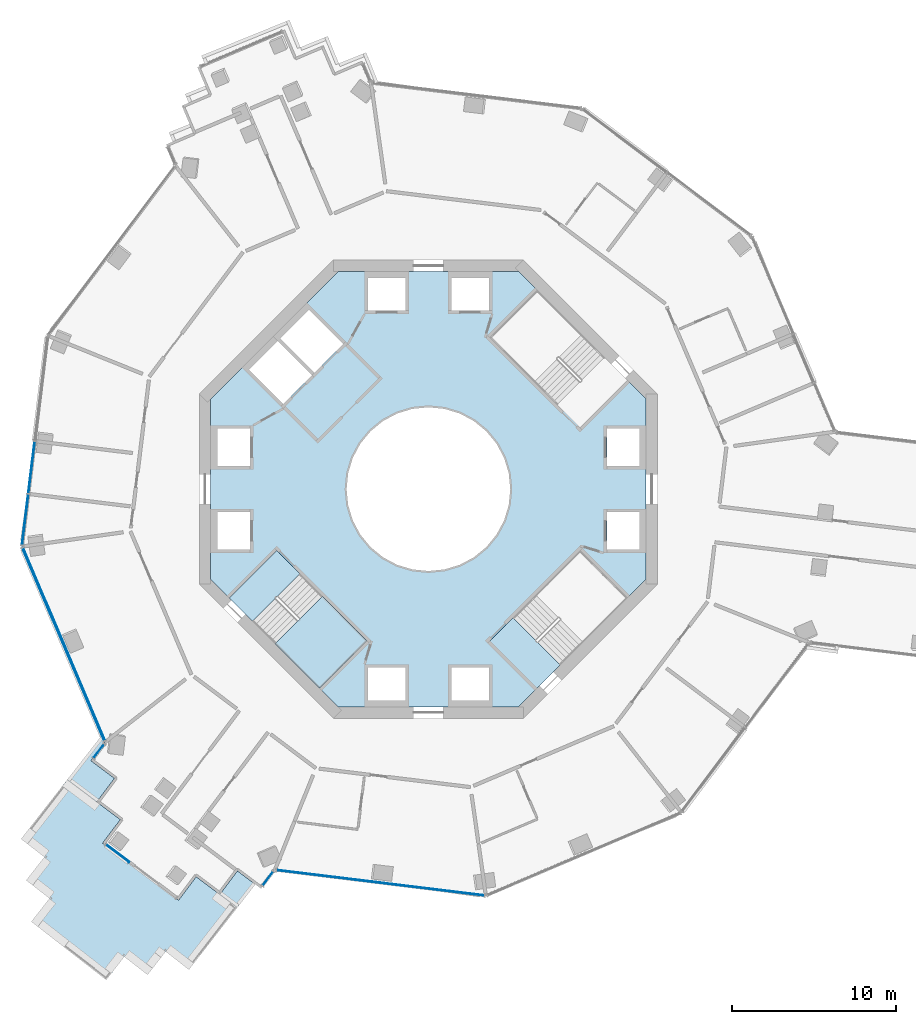
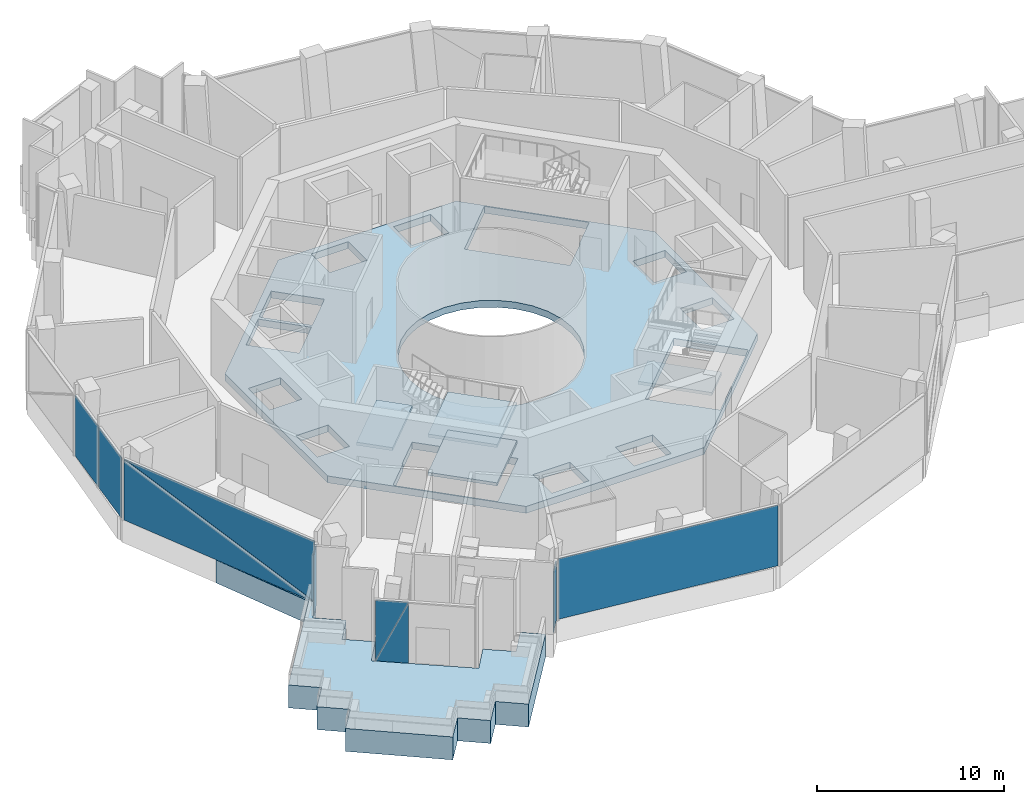
# One storey, part 6 of 17: 9 plates, 6 slabs, 8 elements without a shape of their own.
"""IFC4 building model written with IfcOpenShell, lengths in metres."""

from ifc_helpers import new_model, si_unit, direction, frame, origin, origin_2d, place, context, subcontext, project, spatial, polyline, rectangle, outline, extrude, material, layer, layer_set, type_object, element, aggregate, save


model = new_model("IFC4")

# Units and contexts
model_context = context("Model", 3, precision=1e-05, world=origin(), true_north=direction((0.0, 1.0)))
body_context = subcontext(model_context, "Body", "Model", "MODEL_VIEW")
ifc_project = project(units=[si_unit("LENGTHUNIT", "METRE"), si_unit("AREAUNIT", "SQUARE_METRE"), si_unit("VOLUMEUNIT", "CUBIC_METRE"), si_unit("PLANEANGLEUNIT", "RADIAN"), si_unit("MASSUNIT", "GRAM", prefix="KILO")], contexts=[model_context])

# Site, building, storey
site_placement = place(None, origin())
site = spatial("IfcSite", under=ifc_project, at=site_placement, CompositionType="ELEMENT")
building_placement = place(site_placement, origin())
building = spatial("IfcBuilding", under=site, at=building_placement, Name="Verdalira Terraces Hotel", CompositionType="ELEMENT")
storey_placement = place(building_placement, frame((0.0, 0.0, 128.0)))
storey = spatial("IfcBuildingStorey", under=building, at=storey_placement, Name="L30", CompositionType="ELEMENT", Elevation=128.0)

# Curtain wall, plates
ifc_material_1 = material(Name="Clear glass", Category="glass")
ifc_layer_1 = layer(ifc_material_1, 0.239990234375)
ifc_layer_set_1 = layer_set([ifc_layer_1], Name="CW5 curtain wall")
curtain_wall_type = type_object("IfcCurtainWallType", Name="CW5 curtain wall", PredefinedType="NOTDEFINED", material=ifc_layer_set_1)
curtain_wall_1_placement = place(storey_placement, origin())
curtain_wall_1 = element("IfcCurtainWall", 1, at=curtain_wall_1_placement, inside=storey, type_object=curtain_wall_type, Name="CW5 curtain wall L30 edge 12", PredefinedType="NOTDEFINED")
ifc_material_2 = material(Name="Clear glass", Category="glass")
ifc_layer_2 = layer(ifc_material_2, 0.0439453125)
ifc_layer_set_2 = layer_set([ifc_layer_2], Name="CW5 glass unit 44")
plate_type = type_object("IfcPlateType", Name="CW5 glass unit 44", PredefinedType="CURTAIN_PANEL", material=ifc_layer_set_2)
plate_1_placement = place(storey_placement, frame((-24.246582, 1.322998, 0.0), z_axis=(0.0, 0.0, 1.0), x_axis=(-0.121176386, -0.992630991, 0.0)))
plate_1 = element("IfcPlate", 2, at=plate_1_placement, type_object=plate_type, Name="CW5 glass unit", PredefinedType="CURTAIN_PANEL", context=body_context, shape_type="SweptSolid", body=[
    extrude(rectangle(XDim=3.179932, YDim=0.043945, at=origin_2d()), origin(), (0.0, 0.0, 1.0), 3.965088),
])
plate_2_placement = place(storey_placement, frame((-24.635986, -1.865967, 0.0), z_axis=(0.0, 0.0, 1.0), x_axis=(-0.121176386, -0.992630991, 0.0)))
plate_2 = element("IfcPlate", 3, at=plate_2_placement, type_object=plate_type, Name="CW5 glass unit", PredefinedType="CURTAIN_PANEL", context=body_context, shape_type="SweptSolid", body=[
    extrude(rectangle(XDim=3.104736, YDim=0.043945, at=origin_2d()), origin(), (0.0, 0.0, 1.0), 3.965088),
])
aggregate(curtain_wall_1, [plate_1, plate_2])

curtain_wall_2_placement = place(storey_placement, origin())
curtain_wall_2 = element("IfcCurtainWall", 4, at=curtain_wall_2_placement, inside=storey, type_object=curtain_wall_type, Name="CW5 curtain wall L30 edge 13", PredefinedType="NOTDEFINED")
plate_3_placement = place(storey_placement, frame((-22.277832, -9.468262, 1.982422), z_axis=(-0.920231847, -0.391373667, 0.0), x_axis=(0.391373667, -0.920231847, 0.0)))
plate_3 = element("IfcPlate", 5, at=plate_3_placement, type_object=plate_type, Name="CW5 glass unit", PredefinedType="CURTAIN_PANEL", context=body_context, shape_type="SweptSolid", body=[
    extrude(outline(polyline([(-6.383789, -1.982422), (6.383789, -1.982422), (-6.383789, 1.982422), (-6.383789, -1.982422)])), origin(), (0.0, 0.0, 1.0), 0.043945),
])
plate_4_placement = place(storey_placement, frame((-22.236572, -9.450684, 1.982422), z_axis=(-0.920231847, -0.391373667, 0.0), x_axis=(0.391373667, -0.920231847, 0.0)))
plate_4 = element("IfcPlate", 6, at=plate_4_placement, type_object=plate_type, Name="CW5 glass unit", PredefinedType="CURTAIN_PANEL", context=body_context, shape_type="SweptSolid", body=[
    extrude(outline(polyline([(6.383789, -1.982422), (6.383789, 1.982422), (-6.383789, 1.982422), (6.383789, -1.982422)])), origin(), (0.0, 0.0, 1.0), 0.043945),
])
aggregate(curtain_wall_2, [plate_3, plate_4])

# Curtain wall, plate
curtain_wall_3_placement = place(storey_placement, origin())
curtain_wall_3 = element("IfcCurtainWall", 7, at=curtain_wall_3_placement, inside=storey, type_object=curtain_wall_type, Name="CW5 curtain wall L30 edge 14", PredefinedType="NOTDEFINED")
plate_5_placement = place(storey_placement, frame((-20.144287, -16.010498, 0.0), z_axis=(0.0, 0.0, 1.0), x_axis=(-0.601257324, -0.799055462, 0.0)))
plate_5 = element("IfcPlate", 8, at=plate_5_placement, type_object=plate_type, Name="CW5 glass unit", PredefinedType="CURTAIN_PANEL", context=body_context, shape_type="SweptSolid", body=[
    extrude(rectangle(XDim=1.049805, YDim=0.043945, at=origin_2d()), origin(), (0.0, 0.0, 1.0), 3.965088),
])
aggregate(curtain_wall_3, [plate_5])

# Curtain wall, plates
curtain_wall_4_placement = place(storey_placement, origin())
curtain_wall_4 = element("IfcCurtainWall", 9, at=curtain_wall_4_placement, inside=storey, type_object=curtain_wall_type, Name="CW5 curtain wall L30 edge 19", PredefinedType="NOTDEFINED")
plate_6_placement = place(storey_placement, frame((-18.981934, -22.257568, 1.982422), z_axis=(-0.601257324, -0.799055462, 0.0), x_axis=(0.799055462, -0.601257324, 0.0)))
plate_6 = element("IfcPlate", 10, at=plate_6_placement, type_object=plate_type, Name="CW5 glass unit", PredefinedType="CURTAIN_PANEL", context=body_context, shape_type="SweptSolid", body=[
    extrude(outline(polyline([(-0.89502, -1.982422), (0.89502, -1.982422), (0.89502, 1.982422), (-0.89502, -1.982422)])), origin(), (0.0, 0.0, 1.0), 0.043945),
])
plate_7_placement = place(storey_placement, frame((-18.954834, -22.22168, 1.982422), z_axis=(-0.601257324, -0.799055462, 0.0), x_axis=(0.799055462, -0.601257324, 0.0)))
plate_7 = element("IfcPlate", 11, at=plate_7_placement, type_object=plate_type, Name="CW5 glass unit", PredefinedType="CURTAIN_PANEL", context=body_context, shape_type="SweptSolid", body=[
    extrude(outline(polyline([(-0.89502, -1.982422), (0.89502, 1.982422), (-0.89502, 1.982422), (-0.89502, -1.982422)])), origin(), (0.0, 0.0, 1.0), 0.043945),
])
aggregate(curtain_wall_4, [plate_6, plate_7])

# Curtain wall, plate
curtain_wall_5_placement = place(storey_placement, origin())
curtain_wall_5 = element("IfcCurtainWall", 12, at=curtain_wall_5_placement, inside=storey, type_object=curtain_wall_type, Name="CW5 curtain wall L30 edge 24", PredefinedType="NOTDEFINED")
plate_8_placement = place(storey_placement, frame((-9.804443, -23.790771, 0.0), z_axis=(0.0, 0.0, 1.0), x_axis=(0.601257324, 0.799055462, 0.0)))
plate_8 = element("IfcPlate", 13, at=plate_8_placement, type_object=plate_type, Name="CW5 glass unit", PredefinedType="CURTAIN_PANEL", context=body_context, shape_type="SweptSolid", body=[
    extrude(rectangle(XDim=1.049805, YDim=0.043945, at=origin_2d()), origin(), (0.0, 0.0, 1.0), 3.965088),
])
aggregate(curtain_wall_5, [plate_8])

curtain_wall_6_placement = place(storey_placement, origin())
curtain_wall_6 = element("IfcCurtainWall", 14, at=curtain_wall_6_placement, inside=storey, type_object=curtain_wall_type, Name="CW5 curtain wall L30 edge 25", PredefinedType="NOTDEFINED")
plate_9_placement = place(storey_placement, frame((-2.930176, -24.050537, 0.0), z_axis=(0.0, 0.0, 1.0), x_axis=(0.992630991, -0.121176386, 0.0)))
plate_9 = element("IfcPlate", 15, at=plate_9_placement, type_object=plate_type, Name="CW5 glass unit", PredefinedType="CURTAIN_PANEL", context=body_context, shape_type="SweptSolid", body=[
    extrude(rectangle(XDim=12.767822, YDim=0.043945, at=origin_2d()), origin(), (0.0, 0.0, 1.0), 3.965088),
])
aggregate(curtain_wall_6, [plate_9])

# Slab
ifc_material_3 = material(Name="Concrete C40", Category="concrete")
ifc_layer_3 = layer(ifc_material_3, 0.449951171875)
ifc_layer_set_3 = layer_set([ifc_layer_3], Name="Core floor slab 450 mm")
slab_type_1 = type_object("IfcSlabType", Name="Core floor slab 450 mm", PredefinedType="FLOOR", material=ifc_layer_set_3)
slab_1_placement = place(storey_placement, frame((0.0, 0.0, -0.449951)))
element("IfcSlab", 16, at=slab_1_placement, inside=storey, type_object=slab_type_1, Name="L30 core floor", PredefinedType="FLOOR", context=body_context, shape_type="SweptSolid", body=[
    extrude(outline(polyline([(-5.509033, 13.300049), (5.509033, 13.300049), (13.300049, 5.509033), (13.300049, -5.509033), (5.509033, -13.300049), (-5.509033, -13.300049), (-13.300049, -5.509033), (-13.300049, 5.509033), (-5.509033, 13.300049)]), holes=[polyline([(12.899902, -3.699951), (12.899902, -1.399902), (10.899902, -1.399902), (10.899902, -3.699951), (12.899902, -3.699951)]), polyline([(12.899902, 1.399902), (12.899902, 3.699951), (10.899902, 3.699951), (10.899902, 1.399902), (12.899902, 1.399902)]), polyline([(1.399902, 10.899902), (3.699951, 10.899902), (3.699951, 12.899902), (1.399902, 12.899902), (1.399902, 10.899902)]), polyline([(-3.699951, 10.899902), (-1.399902, 10.899902), (-1.399902, 12.899902), (-3.699951, 12.899902), (-3.699951, 10.899902)]), polyline([(-12.899902, 3.699951), (-12.899902, 1.399902), (-10.899902, 1.399902), (-10.899902, 3.699951), (-12.899902, 3.699951)]), polyline([(-12.899902, -1.399902), (-12.899902, -3.699951), (-10.899902, -3.699951), (-10.899902, -1.399902), (-12.899902, -1.399902)]), polyline([(-1.399902, -10.899902), (-3.699951, -10.899902), (-3.699951, -12.899902), (-1.399902, -12.899902), (-1.399902, -10.899902)]), polyline([(3.699951, -10.899902), (1.399902, -10.899902), (1.399902, -12.899902), (3.699951, -12.899902), (3.699951, -10.899902)]), polyline([(-9.051025, 9.192383), (-6.965088, 7.106445), (-5.197266, 8.874268), (-7.283203, 10.960205), (-9.051025, 9.192383)]), polyline([(-9.192383, 9.051025), (-10.960205, 7.283203), (-8.874268, 5.197266), (-7.106445, 6.965088), (-9.192383, 9.051025)]), polyline([(3.5354, 3.5354), (2.777832, 4.157227), (1.91333, 4.619385), (0.975586, 4.903809), (0.0, 5.0), (-0.975586, 4.903809), (-1.91333, 4.619385), (-2.777832, 4.157227), (-3.5354, 3.5354), (-4.157227, 2.777832), (-4.619385, 1.91333), (-4.903809, 0.975586), (-5.0, 0.0), (-4.903809, -0.975586), (-4.619385, -1.91333), (-4.157227, -2.777832), (-3.5354, -3.5354), (-2.777832, -4.157227), (-1.91333, -4.619385), (-0.975586, -4.903809), (0.0, -5.0), (0.975586, -4.903809), (1.91333, -4.619385), (2.777832, -4.157227), (3.5354, -3.5354), (4.157227, -2.777832), (4.619385, -1.91333), (4.903809, -0.975586), (5.0, 0.0), (4.903809, 0.975586), (4.619385, 1.91333), (4.157227, 2.777832), (3.5354, 3.5354)]), polyline([(6.576172, 12.119873), (5.147705, 10.691406), (5.147705, 10.691406), (3.648682, 9.192383), (7.799072, 5.041992), (9.298096, 6.541016), (9.262695, 6.576416), (10.691162, 8.004883), (6.576172, 12.119873)]), polyline([(-5.147705, -10.691406), (-3.648682, -9.192383), (-7.799072, -5.041992), (-9.298096, -6.541016), (-9.262695, -6.576416), (-10.691162, -8.004883), (-6.576172, -12.119873), (-5.147705, -10.691406), (-5.147705, -10.691406)]), polyline([(10.691406, -5.147705), (10.691406, -5.147705), (9.192383, -3.648682), (5.041992, -7.799072), (6.541016, -9.298096), (6.576416, -9.262695), (8.004883, -10.691162), (12.119873, -6.576172), (10.691406, -5.147705)])]), origin(), (0.0, 0.0, 1.0), 0.449951),
])

# Stair, slabs
ifc_material_4 = material(Name="Concrete C40", Category="concrete")
stair_type = type_object("IfcStairType", Name="Core stair 32 risers 2000 mm wide", PredefinedType="HALF_TURN_STAIR", material=ifc_material_4)
stair_1_placement = place(storey_placement, origin())
stair_1 = element("IfcStair", 17, at=stair_1_placement, inside=storey, type_object=stair_type, Name="L30 Exit stair ST2", PredefinedType="HALF_TURN_STAIR")
ifc_material_5 = material(Name="Concrete C40", Category="concrete")
ifc_layer_4 = layer(ifc_material_5, 0.199951171875)
ifc_layer_set_4 = layer_set([ifc_layer_4], Name="Core stair landing 200 mm")
slab_type_2 = type_object("IfcSlabType", Name="Core stair landing 200 mm", PredefinedType="LANDING", material=ifc_layer_set_4)
slab_2_placement = place(storey_placement, frame((0.0, 0.0, 1.050049)))
slab_2 = element("IfcSlab", 18, at=slab_2_placement, type_object=slab_type_2, Name="ST2 landing 1", PredefinedType="LANDING", context=body_context, shape_type="SweptSolid", body=[
    extrude(outline(polyline([(-9.362549, -9.446533), (-6.646729, -12.162354), (-3.747559, -9.263184), (-6.463379, -6.547363), (-9.362549, -9.446533)])), origin(), (0.0, 0.0, 1.0), 0.199951),
])
slab_3_placement = place(storey_placement, frame((0.0, 0.0, 2.300049)))
slab_3 = element("IfcSlab", 19, at=slab_3_placement, type_object=slab_type_2, Name="ST2 landing 2", PredefinedType="LANDING", context=body_context, shape_type="SweptSolid", body=[
    extrude(outline(polyline([(-12.162354, -6.646729), (-10.747559, -8.061279), (-7.848633, -5.162354), (-9.263184, -3.747559), (-12.162354, -6.646729)])), origin(), (0.0, 0.0, 1.0), 0.199951),
])
slab_4_placement = place(storey_placement, frame((0.0, 0.0, 3.550049)))
slab_4 = element("IfcSlab", 20, at=slab_4_placement, type_object=slab_type_2, Name="ST2 landing 3", PredefinedType="LANDING", context=body_context, shape_type="SweptSolid", body=[
    extrude(outline(polyline([(-9.362549, -9.446533), (-6.646729, -12.162354), (-3.747559, -9.263184), (-6.463379, -6.547363), (-9.362549, -9.446533)])), origin(), (0.0, 0.0, 1.0), 0.199951),
])
aggregate(stair_1, [slab_2, slab_3, slab_4])

# Stair, slab
stair_2_placement = place(storey_placement, origin())
stair_2 = element("IfcStair", 21, at=stair_2_placement, inside=storey, type_object=stair_type, Name="L30 Exit stair ST3", PredefinedType="HALF_TURN_STAIR")
slab_5_placement = place(storey_placement, frame((0.0, 0.0, 2.300049)))
slab_5 = element("IfcSlab", 22, at=slab_5_placement, type_object=slab_type_2, Name="ST3 landing 2", PredefinedType="LANDING", context=body_context, shape_type="SweptSolid", body=[
    extrude(outline(polyline([(6.646729, -12.162354), (8.061279, -10.747559), (5.162354, -7.848633), (3.747559, -9.263184), (6.646729, -12.162354)])), origin(), (0.0, 0.0, 1.0), 0.199951),
])
aggregate(stair_2, [slab_5])

# Slab
ifc_material_6 = material(Name="Concrete C60", Category="concrete")
ifc_layer_5 = layer(ifc_material_6, 1.5)
ifc_layer_set_5 = layer_set([ifc_layer_5], Name="Sky garden floor deck 1500 C60")
slab_type_3 = type_object("IfcSlabType", Name="Sky garden floor deck 1500 C60", PredefinedType="FLOOR", material=ifc_layer_set_5)
slab_6_placement = place(storey_placement, frame((0.0, 0.0, -1.5)))
element("IfcSlab", 23, at=slab_6_placement, inside=storey, type_object=slab_type_3, Name="Sky garden deck L30", PredefinedType="FLOOR", context=body_context, shape_type="SweptSolid", body=[
    extrude(outline(polyline([(-14.632324, -29.359131), (-10.571045, -24.145996), (-11.666748, -23.321777), (-12.749023, -24.76001), (-14.187256, -23.677734), (-15.269531, -25.115967), (-19.904053, -21.628662), (-18.821777, -20.19043), (-20.26001, -19.108154), (-19.177734, -17.669922), (-20.616211, -16.587646), (-19.779297, -15.475586), (-22.402832, -9.307129), (-20.035889, -15.14209), (-24.887695, -21.369873), (-23.467529, -22.476074), (-24.573975, -23.895996), (-23.153809, -25.002197), (-24.26001, -26.422119), (-19.684814, -29.986816), (-18.578369, -28.56665), (-17.158447, -29.672852), (-16.052246, -28.25293), (-14.632324, -29.359131)])), origin(), (0.0, 0.0, 1.0), 1.5),
])

save(model, "model.ifc")
